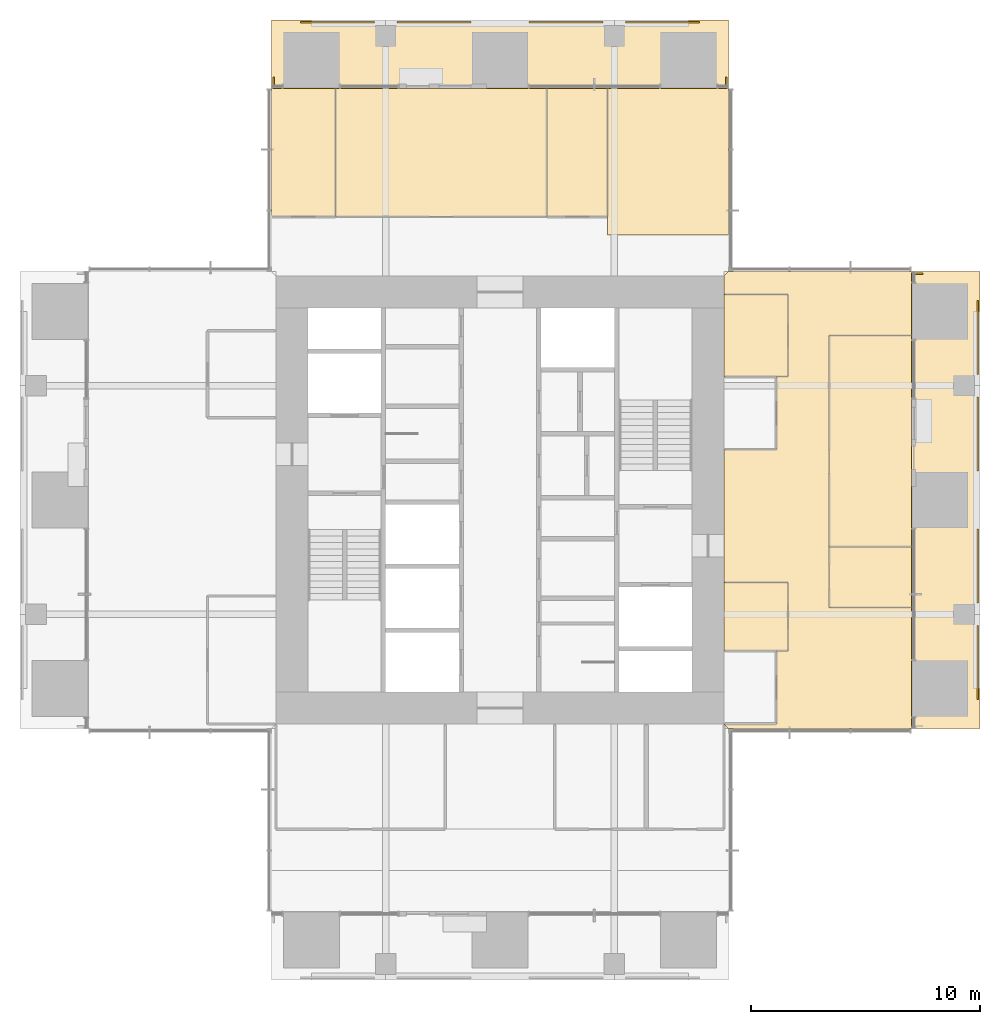
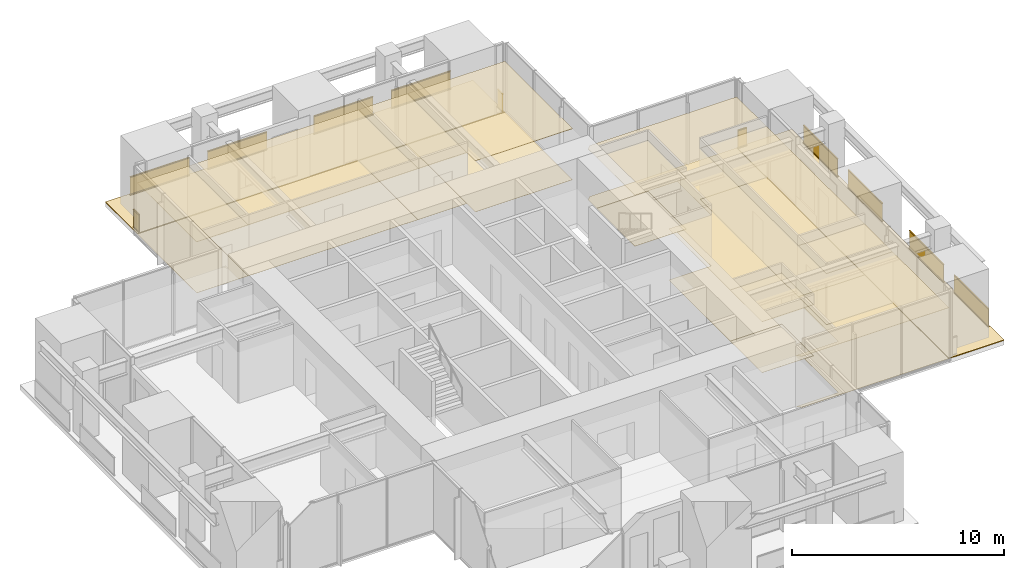
# One storey, part 16 of 17: 20 coverings, 11 railings.
"""IFC4 building model written with IfcOpenShell, lengths in metres."""

from ifc_helpers import new_model, si_unit, direction, frame, origin, origin_2d, place, context, subcontext, project, spatial, polyline, rectangle, outline, extrude, material, layer, layer_set, type_object, element, save


model = new_model("IFC4")

# Units and contexts
model_context = context("Model", 3, precision=1e-05, world=origin(), true_north=direction((0.0, 1.0)))
body_context = subcontext(model_context, "Body", "Model", "MODEL_VIEW")
ifc_project = project(units=[si_unit("LENGTHUNIT", "METRE"), si_unit("AREAUNIT", "SQUARE_METRE"), si_unit("VOLUMEUNIT", "CUBIC_METRE"), si_unit("PLANEANGLEUNIT", "RADIAN"), si_unit("MASSUNIT", "GRAM", prefix="KILO")], contexts=[model_context])

# Site, building, storey
site_placement = place(None, origin())
site = spatial("IfcSite", under=ifc_project, at=site_placement, CompositionType="ELEMENT")
building_placement = place(site_placement, origin())
building = spatial("IfcBuilding", under=site, at=building_placement, Name="Svetlomir Tower", CompositionType="ELEMENT")
storey_placement = place(building_placement, frame((0.0, 0.0, 230.5)))
storey = spatial("IfcBuildingStorey", under=building, at=storey_placement, Name="L55", CompositionType="ELEMENT", Elevation=230.5)

# Railings
ifc_material_1 = material(Name="Bronze anodised aluminium and laminated glass", Category="aluminium")
railing_type = type_object("IfcRailingType", Name="BALCONY GUARD GR1 1100", PredefinedType="GUARDRAIL", material=ifc_material_1)
for number, where, name in (
    (1, (41.89990234375, 12.27490234375, 0.0), "Loggia guard E L55 bay 1"),
    (2, (41.89990234375, 16.5, 0.0), "Loggia guard E L55 bay 2"),
    (3, (41.89990234375, 22.27490234375, 0.0), "Loggia guard E L55 bay 3"),
    (4, (41.89990234375, 26.5, 0.0), "Loggia guard E L55 bay 4"),
):
    element("IfcRailing", number, at=place(storey_placement, frame(where)), inside=storey, type_object=railing_type, Name=name, PredefinedType="GUARDRAIL", context=body_context, shape_type="SweptSolid", body=[
        extrude(rectangle(XDim=0.06005859375, YDim=0.10009765625, at=origin_2d()), frame((0.0, 0.0, 0.050048828125), z_axis=(0.0, 1.0, 0.0), x_axis=(-1.0, 0.0, 0.0)), (0.0, 0.0, 1.0), 3.22509765625),
        extrude(rectangle(XDim=0.021484375, YDim=0.960205078125, at=origin_2d()), frame((0.0, 0.0, 0.580078125), z_axis=(0.0, 1.0, 0.0), x_axis=(-1.0, 0.0, 0.0)), (0.0, 0.0, 1.0), 3.22509765625),
        extrude(rectangle(XDim=0.06005859375, YDim=0.0400390625, at=origin_2d()), frame((0.0, 0.0, 1.080078125), z_axis=(0.0, 1.0, 0.0), x_axis=(-1.0, 0.0, 0.0)), (0.0, 0.0, 1.0), 3.22509765625),
    ])
railing_placement = place(storey_placement, frame((39.5, 30.89990234375, 0.0)))
element("IfcRailing", 5, at=railing_placement, inside=storey, type_object=railing_type, Name="Loggia guard E L55 end 2", PredefinedType="GUARDRAIL", context=body_context, shape_type="SweptSolid", body=[
    extrude(rectangle(XDim=0.06005859375, YDim=0.10009765625, at=origin_2d()), frame((0.0, 0.0, 0.050048828125), z_axis=(-1.0, 0.0, 0.0), x_axis=(0.0, -1.0, 0.0)), (0.0, 0.0, 1.0), 0.5),
    extrude(rectangle(XDim=0.021484375, YDim=0.960205078125, at=origin_2d()), frame((0.0, 0.0, 0.580078125), z_axis=(-1.0, 0.0, 0.0), x_axis=(0.0, -1.0, 0.0)), (0.0, 0.0, 1.0), 0.5),
    extrude(rectangle(XDim=0.06005859375, YDim=0.0400390625, at=origin_2d()), frame((0.0, 0.0, 1.080078125), z_axis=(-1.0, 0.0, 0.0), x_axis=(0.0, -1.0, 0.0)), (0.0, 0.0, 1.0), 0.5),
])
for number, where, name in (
    (6, (12.27490234375, 41.89990234375, 0.0), "Loggia guard N L55 bay 1"),
    (7, (16.5, 41.89990234375, 0.0), "Loggia guard N L55 bay 2"),
    (8, (22.27490234375, 41.89990234375, 0.0), "Loggia guard N L55 bay 3"),
    (9, (26.5, 41.89990234375, 0.0), "Loggia guard N L55 bay 4"),
):
    element("IfcRailing", number, at=place(storey_placement, frame(where)), inside=storey, type_object=railing_type, Name=name, PredefinedType="GUARDRAIL", context=body_context, shape_type="SweptSolid", body=[
        extrude(rectangle(XDim=0.06005859375, YDim=0.10009765625, at=origin_2d()), frame((0.0, 0.0, 0.050048828125), z_axis=(1.0, 0.0, 0.0), x_axis=(0.0, 1.0, 0.0)), (0.0, 0.0, 1.0), 3.22509765625),
        extrude(rectangle(XDim=0.021484375, YDim=0.960205078125, at=origin_2d()), frame((0.0, 0.0, 0.580078125), z_axis=(1.0, 0.0, 0.0), x_axis=(0.0, 1.0, 0.0)), (0.0, 0.0, 1.0), 3.22509765625),
        extrude(rectangle(XDim=0.06005859375, YDim=0.0400390625, at=origin_2d()), frame((0.0, 0.0, 1.080078125), z_axis=(1.0, 0.0, 0.0), x_axis=(0.0, 1.0, 0.0)), (0.0, 0.0, 1.0), 3.22509765625),
    ])
for number, where, name in (
    (10, (11.10009765625, 39.5, 0.0), "Loggia guard N L55 end 1"),
    (11, (30.89990234375, 39.5, 0.0), "Loggia guard N L55 end 2"),
):
    element("IfcRailing", number, at=place(storey_placement, frame(where)), inside=storey, type_object=railing_type, Name=name, PredefinedType="GUARDRAIL", context=body_context, shape_type="SweptSolid", body=[
        extrude(rectangle(XDim=0.06005859375, YDim=0.10009765625, at=origin_2d()), frame((0.0, 0.0, 0.050048828125), z_axis=(0.0, -1.0, 0.0), x_axis=(1.0, 0.0, 0.0)), (0.0, 0.0, 1.0), 0.5),
        extrude(rectangle(XDim=0.021484375, YDim=0.960205078125, at=origin_2d()), frame((0.0, 0.0, 0.580078125), z_axis=(0.0, -1.0, 0.0), x_axis=(1.0, 0.0, 0.0)), (0.0, 0.0, 1.0), 0.5),
        extrude(rectangle(XDim=0.06005859375, YDim=0.0400390625, at=origin_2d()), frame((0.0, 0.0, 1.080078125), z_axis=(0.0, -1.0, 0.0), x_axis=(1.0, 0.0, 0.0)), (0.0, 0.0, 1.0), 0.5),
    ])

# Coverings
ifc_material_2 = material(Name="Granite paving slabs on pedestals", Category="masonry")
ifc_layer_1 = layer(ifc_material_2, 0.0400390625)
ifc_layer_set_1 = layer_set([ifc_layer_1], Name="Granite paving slabs on pedestals")
covering_type_1 = type_object("IfcCoveringType", Name="BALCONY PAVING 40", PredefinedType="USERDEFINED", material=ifc_layer_set_1)
covering_1_placement = place(storey_placement, origin())
element("IfcCovering", 12, at=covering_1_placement, inside=storey, type_object=covering_type_1, Name="Loggia paving E L55", ObjectType="BALCONY PAVING", PredefinedType="USERDEFINED", context=body_context, shape_type="SweptSolid", body=[
    extrude(outline(polyline([(39.0, 11.0), (42.0, 11.0), (42.0, 31.0), (39.0, 31.0), (39.0, 11.0)])), origin(), (0.0, 0.0, 1.0), 0.0400390625),
])
covering_2_placement = place(storey_placement, origin())
element("IfcCovering", 13, at=covering_2_placement, inside=storey, type_object=covering_type_1, Name="Loggia paving N L55", ObjectType="BALCONY PAVING", PredefinedType="USERDEFINED", context=body_context, shape_type="SweptSolid", body=[
    extrude(outline(polyline([(11.0, 39.0), (31.0, 39.0), (31.0, 42.0), (11.0, 42.0), (11.0, 39.0)])), origin(), (0.0, 0.0, 1.0), 0.0400390625),
])
ifc_material_3 = material(Name="Carpet tile", Category="textile")
ifc_layer_2 = layer(ifc_material_3, 0.010009765625)
ifc_layer_set_2 = layer_set([ifc_layer_2], Name="Carpet tile")
covering_type_2 = type_object("IfcCoveringType", Name="CARPET TILE FLOOR 10", PredefinedType="FLOORING", material=ifc_layer_set_2)
covering_3_placement = place(storey_placement, origin())
element("IfcCovering", 14, at=covering_3_placement, inside=storey, type_object=covering_type_2, Name="Floor finish L55-22", PredefinedType="FLOORING", context=body_context, shape_type="SweptSolid", body=[
    extrude(outline(polyline([(30.800048828125, 14.39990234375), (33.60009765625, 14.39990234375), (33.60009765625, 17.39990234375), (30.800048828125, 17.39990234375), (30.800048828125, 14.39990234375)])), origin(), (0.0, 0.0, 1.0), 0.010009765625),
])
covering_4_placement = place(storey_placement, origin())
element("IfcCovering", 15, at=covering_4_placement, inside=storey, type_object=covering_type_2, Name="Floor finish L55-24", PredefinedType="FLOORING", context=body_context, shape_type="SweptSolid", body=[
    extrude(outline(polyline([(30.800048828125, 26.39990234375), (33.60009765625, 26.39990234375), (33.60009765625, 30.0), (30.800048828125, 30.0), (30.800048828125, 26.39990234375)])), origin(), (0.0, 0.0, 1.0), 0.010009765625),
])
covering_5_placement = place(storey_placement, origin())
element("IfcCovering", 16, at=covering_5_placement, inside=storey, type_object=covering_type_2, Name="Floor finish L55-25", PredefinedType="FLOORING", context=body_context, shape_type="SweptSolid", body=[
    extrude(outline(polyline([(35.39990234375, 16.300048828125), (39.0, 16.300048828125), (39.0, 18.949951171875), (35.39990234375, 18.949951171875), (35.39990234375, 16.300048828125)])), origin(), (0.0, 0.0, 1.0), 0.010009765625),
])
covering_6_placement = place(storey_placement, origin())
element("IfcCovering", 17, at=covering_6_placement, inside=storey, type_object=covering_type_2, Name="Floor finish L55-26", PredefinedType="FLOORING", context=body_context, shape_type="SweptSolid", body=[
    extrude(outline(polyline([(35.39990234375, 18.949951171875), (39.0, 18.949951171875), (39.0, 28.199951171875), (35.39990234375, 28.199951171875), (35.39990234375, 18.949951171875)])), origin(), (0.0, 0.0, 1.0), 0.010009765625),
])
covering_7_placement = place(storey_placement, origin())
element("IfcCovering", 18, at=covering_7_placement, inside=storey, type_object=covering_type_2, Name="Floor finish L55-27", PredefinedType="FLOORING", context=body_context, shape_type="SweptSolid", body=[
    extrude(outline(polyline([(11.0, 33.39990234375), (13.800048828125, 33.39990234375), (13.800048828125, 39.0), (11.0, 39.0), (11.0, 33.39990234375)])), origin(), (0.0, 0.0, 1.0), 0.010009765625),
])
covering_8_placement = place(storey_placement, origin())
element("IfcCovering", 19, at=covering_8_placement, inside=storey, type_object=covering_type_2, Name="Floor finish L55-28", PredefinedType="FLOORING", context=body_context, shape_type="SweptSolid", body=[
    extrude(outline(polyline([(13.800048828125, 33.39990234375), (23.050048828125, 33.39990234375), (23.050048828125, 39.0), (13.800048828125, 39.0), (13.800048828125, 33.39990234375)])), origin(), (0.0, 0.0, 1.0), 0.010009765625),
])
covering_9_placement = place(storey_placement, origin())
element("IfcCovering", 20, at=covering_9_placement, inside=storey, type_object=covering_type_2, Name="Floor finish L55-29", PredefinedType="FLOORING", context=body_context, shape_type="SweptSolid", body=[
    extrude(outline(polyline([(23.050048828125, 33.39990234375), (25.699951171875, 33.39990234375), (25.699951171875, 39.0), (23.050048828125, 39.0), (23.050048828125, 33.39990234375)])), origin(), (0.0, 0.0, 1.0), 0.010009765625),
])
covering_10_placement = place(storey_placement, origin())
element("IfcCovering", 21, at=covering_10_placement, inside=storey, type_object=covering_type_2, Name="Floor finish L55-36", PredefinedType="FLOORING", context=body_context, shape_type="SweptSolid", body=[
    extrude(outline(polyline([(30.800048828125, 23.199951171875), (33.10009765625, 23.199951171875), (33.10009765625, 26.39990234375), (33.60009765625, 26.39990234375), (33.60009765625, 30.0), (30.800048828125, 30.0), (30.800048828125, 30.800048828125), (31.0, 31.0), (39.0, 31.0), (39.0, 28.199951171875), (35.39990234375, 28.199951171875), (35.39990234375, 16.300048828125), (39.0, 16.300048828125), (39.0, 11.0), (31.0, 11.0), (30.800048828125, 11.199951171875), (33.10009765625, 11.199951171875), (33.10009765625, 14.39990234375), (33.60009765625, 14.39990234375), (33.60009765625, 17.39990234375), (30.800048828125, 17.39990234375), (30.800048828125, 23.199951171875)])), origin(), (0.0, 0.0, 1.0), 0.010009765625),
])
covering_11_placement = place(storey_placement, origin())
element("IfcCovering", 22, at=covering_11_placement, inside=storey, type_object=covering_type_2, Name="Floor finish L55-37", PredefinedType="FLOORING", context=body_context, shape_type="SweptSolid", body=[
    extrude(outline(polyline([(31.0, 39.0), (31.0, 32.60009765625), (25.699951171875, 32.60009765625), (25.699951171875, 39.0), (31.0, 39.0)])), origin(), (0.0, 0.0, 1.0), 0.010009765625),
])
ifc_material_4 = material(Name="Mineral fibre ceiling tile", Category="mineral")
ifc_layer_3 = layer(ifc_material_4, 0.02001953125)
ifc_layer_set_3 = layer_set([ifc_layer_3], Name="Mineral fibre ceiling tile")
covering_type_3 = type_object("IfcCoveringType", Name="SUSPENDED CEILING 20", PredefinedType="CEILING", material=ifc_layer_set_3)
covering_12_placement = place(storey_placement, frame((0.0, 0.0, 2.929931640625)))
element("IfcCovering", 23, at=covering_12_placement, inside=storey, type_object=covering_type_3, Name="Ceiling L55-22", PredefinedType="CEILING", context=body_context, shape_type="SweptSolid", body=[
    extrude(outline(polyline([(30.800048828125, 14.39990234375), (33.60009765625, 14.39990234375), (33.60009765625, 17.39990234375), (30.800048828125, 17.39990234375), (30.800048828125, 14.39990234375)])), origin(), (0.0, 0.0, 1.0), 0.02001953125),
])
covering_13_placement = place(storey_placement, frame((0.0, 0.0, 2.929931640625)))
element("IfcCovering", 24, at=covering_13_placement, inside=storey, type_object=covering_type_3, Name="Ceiling L55-24", PredefinedType="CEILING", context=body_context, shape_type="SweptSolid", body=[
    extrude(outline(polyline([(30.800048828125, 26.39990234375), (33.60009765625, 26.39990234375), (33.60009765625, 30.0), (30.800048828125, 30.0), (30.800048828125, 26.39990234375)])), origin(), (0.0, 0.0, 1.0), 0.02001953125),
])
covering_14_placement = place(storey_placement, frame((0.0, 0.0, 2.929931640625)))
element("IfcCovering", 25, at=covering_14_placement, inside=storey, type_object=covering_type_3, Name="Ceiling L55-25", PredefinedType="CEILING", context=body_context, shape_type="SweptSolid", body=[
    extrude(outline(polyline([(35.39990234375, 16.300048828125), (39.0, 16.300048828125), (39.0, 18.949951171875), (35.39990234375, 18.949951171875), (35.39990234375, 16.300048828125)])), origin(), (0.0, 0.0, 1.0), 0.02001953125),
])
covering_15_placement = place(storey_placement, frame((0.0, 0.0, 2.929931640625)))
element("IfcCovering", 26, at=covering_15_placement, inside=storey, type_object=covering_type_3, Name="Ceiling L55-26", PredefinedType="CEILING", context=body_context, shape_type="SweptSolid", body=[
    extrude(outline(polyline([(35.39990234375, 18.949951171875), (39.0, 18.949951171875), (39.0, 28.199951171875), (35.39990234375, 28.199951171875), (35.39990234375, 18.949951171875)])), origin(), (0.0, 0.0, 1.0), 0.02001953125),
])
covering_16_placement = place(storey_placement, frame((0.0, 0.0, 2.929931640625)))
element("IfcCovering", 27, at=covering_16_placement, inside=storey, type_object=covering_type_3, Name="Ceiling L55-27", PredefinedType="CEILING", context=body_context, shape_type="SweptSolid", body=[
    extrude(outline(polyline([(11.0, 33.39990234375), (13.800048828125, 33.39990234375), (13.800048828125, 39.0), (11.0, 39.0), (11.0, 33.39990234375)])), origin(), (0.0, 0.0, 1.0), 0.02001953125),
])
covering_17_placement = place(storey_placement, frame((0.0, 0.0, 2.929931640625)))
element("IfcCovering", 28, at=covering_17_placement, inside=storey, type_object=covering_type_3, Name="Ceiling L55-28", PredefinedType="CEILING", context=body_context, shape_type="SweptSolid", body=[
    extrude(outline(polyline([(13.800048828125, 33.39990234375), (23.050048828125, 33.39990234375), (23.050048828125, 39.0), (13.800048828125, 39.0), (13.800048828125, 33.39990234375)])), origin(), (0.0, 0.0, 1.0), 0.02001953125),
])
covering_18_placement = place(storey_placement, frame((0.0, 0.0, 2.929931640625)))
element("IfcCovering", 29, at=covering_18_placement, inside=storey, type_object=covering_type_3, Name="Ceiling L55-29", PredefinedType="CEILING", context=body_context, shape_type="SweptSolid", body=[
    extrude(outline(polyline([(23.050048828125, 33.39990234375), (25.699951171875, 33.39990234375), (25.699951171875, 39.0), (23.050048828125, 39.0), (23.050048828125, 33.39990234375)])), origin(), (0.0, 0.0, 1.0), 0.02001953125),
])
covering_19_placement = place(storey_placement, frame((0.0, 0.0, 2.929931640625)))
element("IfcCovering", 30, at=covering_19_placement, inside=storey, type_object=covering_type_3, Name="Ceiling L55-36", PredefinedType="CEILING", context=body_context, shape_type="SweptSolid", body=[
    extrude(outline(polyline([(30.800048828125, 23.199951171875), (33.10009765625, 23.199951171875), (33.10009765625, 26.39990234375), (33.60009765625, 26.39990234375), (33.60009765625, 30.0), (30.800048828125, 30.0), (30.800048828125, 30.800048828125), (31.0, 31.0), (39.0, 31.0), (39.0, 28.199951171875), (35.39990234375, 28.199951171875), (35.39990234375, 16.300048828125), (39.0, 16.300048828125), (39.0, 11.0), (31.0, 11.0), (30.800048828125, 11.199951171875), (33.10009765625, 11.199951171875), (33.10009765625, 14.39990234375), (33.60009765625, 14.39990234375), (33.60009765625, 17.39990234375), (30.800048828125, 17.39990234375), (30.800048828125, 23.199951171875)])), origin(), (0.0, 0.0, 1.0), 0.02001953125),
])
covering_20_placement = place(storey_placement, frame((0.0, 0.0, 2.929931640625)))
element("IfcCovering", 31, at=covering_20_placement, inside=storey, type_object=covering_type_3, Name="Ceiling L55-37", PredefinedType="CEILING", context=body_context, shape_type="SweptSolid", body=[
    extrude(outline(polyline([(31.0, 39.0), (31.0, 32.60009765625), (25.699951171875, 32.60009765625), (25.699951171875, 39.0), (31.0, 39.0)])), origin(), (0.0, 0.0, 1.0), 0.02001953125),
])

save(model, "model.ifc")
